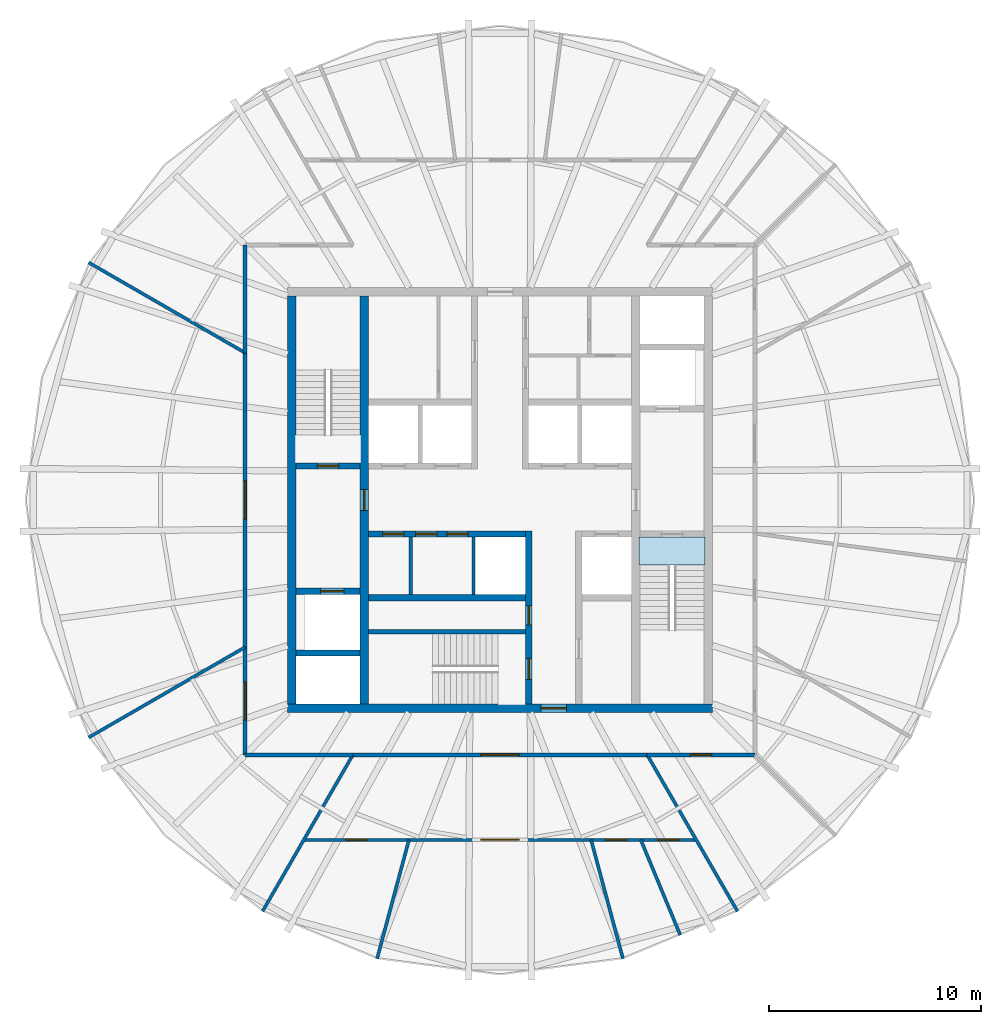
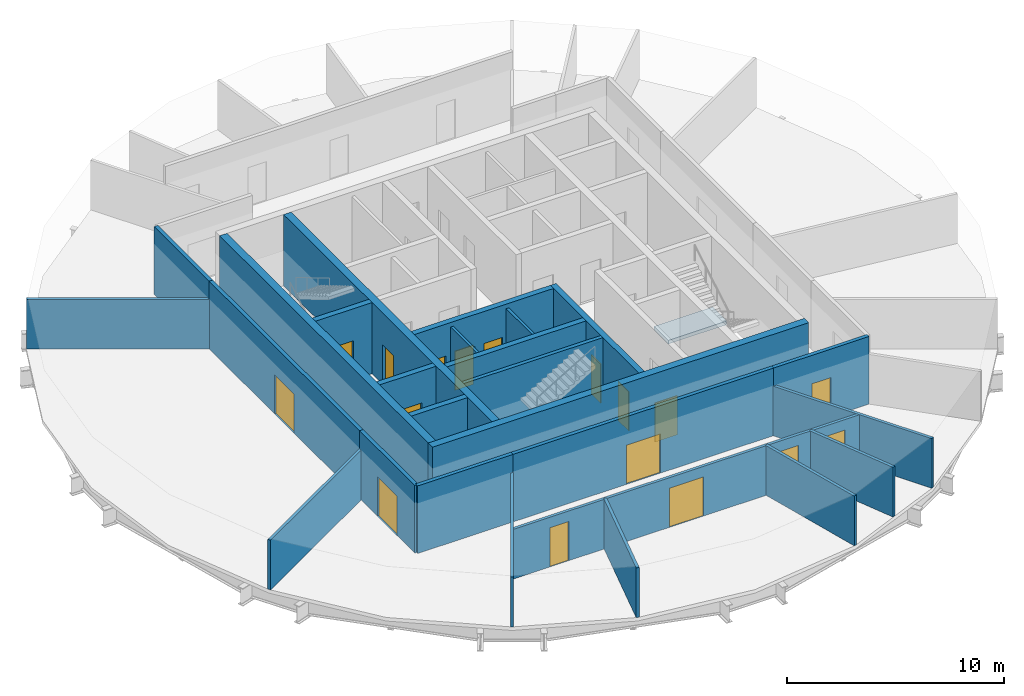
# One storey, part 3 of 6: 26 walls, 17 doors, 1 slab, 17 openings.
"""IFC4 building model written with IfcOpenShell, lengths in metres."""

from ifc_helpers import new_model, si_unit, direction, frame, frame_2d, origin, place, context, subcontext, project, spatial, polyline, rectangle, outline, extrude, material, layer, layer_set, type_object, element, fill, save


model = new_model("IFC4")

# Units and contexts
model_context = context("Model", 3, precision=1e-05, world=origin(), true_north=direction((0.0, 1.0)))
body_context = subcontext(model_context, "Body", "Model", "MODEL_VIEW")
ifc_project = project(units=[si_unit("LENGTHUNIT", "METRE"), si_unit("AREAUNIT", "SQUARE_METRE"), si_unit("VOLUMEUNIT", "CUBIC_METRE"), si_unit("PLANEANGLEUNIT", "RADIAN"), si_unit("MASSUNIT", "GRAM", prefix="KILO")], contexts=[model_context])

# Site, building, storey
site_placement = place(None, origin())
site = spatial("IfcSite", under=ifc_project, at=site_placement, CompositionType="ELEMENT")
building_placement = place(site_placement, origin())
building = spatial("IfcBuilding", under=site, at=building_placement, Name="Golbaran Civic Tower", CompositionType="ELEMENT")
storey_placement = place(building_placement, frame((0.0, 0.0, 252.0)))
storey = spatial("IfcBuildingStorey", under=building, at=storey_placement, Name="L61", CompositionType="ELEMENT", Elevation=252.0)

# Slab
ifc_material_1 = material(Name="Concrete C35/45", Category="concrete")
ifc_layer_1 = layer(ifc_material_1, 0.199951171875, Name="Concrete C35/45")
ifc_layer_set_1 = layer_set([ifc_layer_1], Name="Concrete C35/45")
slab_type = type_object("IfcSlabType", Name="STAIR LANDING 200", PredefinedType="LANDING", material=ifc_layer_set_1)
slab_placement = place(storey_placement, frame((0.0, 0.0, -0.199951171875)))
element("IfcSlab", 1, at=slab_placement, inside=storey, type_object=slab_type, Name="Stair S2 floor landing L61", PredefinedType="LANDING", context=body_context, shape_type="SweptSolid", body=[
    extrude(outline(polyline([(9.64990234375, -1.75), (9.64990234375, -3.054931640625), (6.550048828125, -3.054931640625), (6.550048828125, -1.75), (9.64990234375, -1.75)])), origin(), (0.0, 0.0, 1.0), 0.199951171875),
])

# Walls
ifc_material_2 = material(Name="Concrete block", Category="concrete")
ifc_layer_2 = layer(ifc_material_2, 0.14990234375, Name="Concrete block")
ifc_layer_set_2 = layer_set([ifc_layer_2], Name="Concrete block")
wall_type_1 = type_object("IfcWallType", Name="BLOCKWORK PARTITION 150", PredefinedType="PARTITIONING", material=ifc_layer_set_2)
for number, where, z_axis, x_axis, name in (
    (2, (-4.199951171875, -1.75, 0.0), (0.0, 0.0, 1.0), (0.0, -1.0, 0.0), "Core room partition HP0 L61"),
    (3, (-1.25, -1.75, 0.0), (0.0, 0.0, 1.0), (0.0, -1.0, 0.0), "Lift H3 hoistway west wall L61"),
):
    element("IfcWall", number, at=place(storey_placement, frame(where, z_axis=z_axis, x_axis=x_axis)), inside=storey, type_object=wall_type_1, Name=name, PredefinedType="PARTITIONING", context=body_context, shape_type="SweptSolid", body=[
        extrude(rectangle(XDim=2.699951171875, YDim=0.14990234375, at=frame_2d((1.35009765625, 0.0))), origin(), (0.0, 0.0, 1.0), 3.75),
    ])

# Wall, opening, door
ifc_material_3 = material(Name="Concrete C50/60", Category="concrete")
ifc_layer_3 = layer(ifc_material_3, 0.39990234375, Name="Concrete C50/60")
ifc_layer_set_3 = layer_set([ifc_layer_3], Name="Concrete C50/60")
wall_type_2 = type_object("IfcWallType", Name="CORE WALL CONCRETE 400", PredefinedType="SOLIDWALL", material=ifc_layer_set_3)
wall_1_placement = place(storey_placement, frame((10.0, -9.800048828125, 0.0), z_axis=(0.0, 0.0, 1.0), x_axis=(-1.0, 0.0, 0.0)))
wall_1 = element("IfcWall", 4, at=wall_1_placement, inside=storey, type_object=wall_type_2, Name="Core wall CS L61", PredefinedType="SOLIDWALL", context=body_context, shape_type="SweptSolid", body=[
    extrude(rectangle(XDim=20.0, YDim=0.39990234375, at=frame_2d((10.0, 0.0))), origin(), (0.0, 0.0, 1.0), 4.0),
])
opening_1_placement = place(wall_1_placement, frame((6.875, 0.0, 0.0)))
opening_1 = element("IfcOpeningElement", 5, at=opening_1_placement, cuts=wall_1, Name="Opening L61.CS", PredefinedType="OPENING", context=body_context, shape_type="SweptSolid", body=[
    extrude(rectangle(XDim=1.199951171875, YDim=2.199951171875, at=frame_2d((0.60009765625, 1.10009765625))), frame((0.0, 0.2099609375, 0.0), z_axis=(0.0, -1.0, 0.0), x_axis=(1.0, 0.0, 0.0)), (0.0, 0.0, 1.0), 0.419921875),
])
ifc_material_4 = material(Name="Timber door set in steel frame", Category="steel")
door_type_1 = type_object("IfcDoorType", Name="CORE DOOR 1200x2200", OperationType="DOUBLE_DOOR_SINGLE_SWING", PredefinedType="DOOR", material=ifc_material_4)
door_1_placement = place(opening_1_placement, origin())
door_1 = element("IfcDoor", 6, at=door_1_placement, inside=storey, type_object=door_type_1, Name="Core door south", OperationType="DOUBLE_DOOR_SINGLE_SWING", OverallHeight=2.199951171875, OverallWidth=1.199951171875, PredefinedType="DOOR", context=body_context, shape_type="SweptSolid", body=[
    extrude(rectangle(XDim=1.199951171875, YDim=2.199951171875, at=frame_2d((0.60009765625, 1.10009765625))), frame((0.0, 0.02490234375, 0.0), z_axis=(0.0, -1.0, 0.0), x_axis=(1.0, 0.0, 0.0)), (0.0, 0.0, 1.0), 0.050048828125),
])
fill(opening_1, door_1)

# Wall
wall_2_placement = place(storey_placement, frame((-9.800048828125, 9.60009765625, 0.0), z_axis=(0.0, 0.0, 1.0), x_axis=(0.0, -1.0, 0.0)))
element("IfcWall", 7, at=wall_2_placement, inside=storey, type_object=wall_type_2, Name="Core wall CW L61", PredefinedType="SOLIDWALL", context=body_context, shape_type="SweptSolid", body=[
    extrude(rectangle(XDim=19.2001953125, YDim=0.39990234375, at=frame_2d((9.60009765625, 0.0))), origin(), (0.0, 0.0, 1.0), 4.0),
])

# Wall, opening, door
wall_3_placement = place(storey_placement, frame((-6.39990234375, -9.60009765625, 0.0), z_axis=(0.0, 0.0, 1.0), x_axis=(0.0, 1.0, 0.0)))
wall_3 = element("IfcWall", 8, at=wall_3_placement, inside=storey, type_object=wall_type_2, Name="Core wall IW L61", PredefinedType="SOLIDWALL", context=body_context, shape_type="SweptSolid", body=[
    extrude(rectangle(XDim=19.2001953125, YDim=0.39990234375, at=frame_2d((9.60009765625, 0.0))), origin(), (0.0, 0.0, 1.0), 4.0),
])
opening_2_placement = place(wall_3_placement, frame((9.10009765625, 0.0, 0.0)))
opening_2 = element("IfcOpeningElement", 9, at=opening_2_placement, cuts=wall_3, Name="Opening L61.FL1", PredefinedType="OPENING", context=body_context, shape_type="SweptSolid", body=[
    extrude(rectangle(XDim=1.0, YDim=2.199951171875, at=frame_2d((0.5, 1.10009765625))), frame((0.0, 0.2099609375, 0.0), z_axis=(0.0, -1.0, 0.0), x_axis=(1.0, 0.0, 0.0)), (0.0, 0.0, 1.0), 0.419921875),
])
door_type_2 = type_object("IfcDoorType", Name="STAIR DOOR 1000x2200", OperationType="SINGLE_SWING_LEFT", PredefinedType="DOOR", material=ifc_material_4)
door_2_placement = place(opening_2_placement, origin())
door_2 = element("IfcDoor", 10, at=door_2_placement, inside=storey, type_object=door_type_2, Name="Fire-fighting lobby FL1 door", OperationType="SINGLE_SWING_LEFT", OverallHeight=2.199951171875, OverallWidth=1.0, PredefinedType="DOOR", context=body_context, shape_type="SweptSolid", body=[
    extrude(rectangle(XDim=1.0, YDim=2.199951171875, at=frame_2d((0.5, 1.10009765625))), frame((0.0, 0.02490234375, 0.0), z_axis=(0.0, -1.0, 0.0), x_axis=(1.0, 0.0, 0.0)), (0.0, 0.0, 1.0), 0.050048828125),
])
fill(opening_2, door_2)

# Wall
ifc_material_5 = material(Name="Gypsum board on steel studs, fire-rated", Category="steel")
ifc_layer_4 = layer(ifc_material_5, 0.199951171875, Name="Gypsum board on steel studs, fire-rated")
ifc_layer_set_4 = layer_set([ifc_layer_4], Name="Gypsum board on steel studs, fire-rated")
wall_type_3 = type_object("IfcWallType", Name="CORRIDOR WALL 200", PredefinedType="PARTITIONING", material=ifc_layer_set_4)
wall_4_placement = place(storey_placement, frame((-12.0, 12.0, 0.0), z_axis=(0.0, 0.0, 1.0), x_axis=(0.0, -1.0, 0.0)))
element("IfcWall", 11, at=wall_4_placement, inside=storey, type_object=wall_type_3, Name="Corridor wall L61", PredefinedType="PARTITIONING", context=body_context, shape_type="SweptSolid", body=[
    extrude(rectangle(XDim=5.07177734375, YDim=0.199951171875, at=frame_2d((2.535888671875, 0.0))), origin(), (0.0, 0.0, 1.0), 3.800048828125),
])

# Wall, opening, door
wall_5_placement = place(storey_placement, frame((-12.0, 6.92822265625, 0.0), z_axis=(0.0, 0.0, 1.0), x_axis=(0.0, -1.0, 0.0)))
wall_5 = element("IfcWall", 12, at=wall_5_placement, inside=storey, type_object=wall_type_3, Name="Corridor wall L61", PredefinedType="PARTITIONING", context=body_context, shape_type="SweptSolid", body=[
    extrude(rectangle(XDim=13.8564453125, YDim=0.199951171875, at=frame_2d((6.92822265625, 0.0))), origin(), (0.0, 0.0, 1.0), 3.800048828125),
])
opening_3_placement = place(wall_5_placement, frame((6.0283203125, 0.0, 0.0)))
opening_3 = element("IfcOpeningElement", 13, at=opening_3_placement, cuts=wall_5, Name="Opening L61.16", PredefinedType="OPENING", context=body_context, shape_type="SweptSolid", body=[
    extrude(rectangle(XDim=1.800048828125, YDim=2.199951171875, at=frame_2d((0.89990234375, 1.10009765625))), frame((0.0, 0.10986328125, 0.0), z_axis=(0.0, -1.0, 0.0), x_axis=(1.0, 0.0, 0.0)), (0.0, 0.0, 1.0), 0.219970703125),
])
door_type_3 = type_object("IfcDoorType", Name="OFFICE DOUBLE DOOR 1800x2200", OperationType="DOUBLE_DOOR_SINGLE_SWING", PredefinedType="DOOR", material=ifc_material_4)
door_3_placement = place(opening_3_placement, origin())
door_3 = element("IfcDoor", 14, at=door_3_placement, inside=storey, type_object=door_type_3, Name="Open Office door L61", OperationType="DOUBLE_DOOR_SINGLE_SWING", OverallHeight=2.199951171875, OverallWidth=1.800048828125, PredefinedType="DOOR", context=body_context, shape_type="SweptSolid", body=[
    extrude(rectangle(XDim=1.800048828125, YDim=2.199951171875, at=frame_2d((0.89990234375, 1.10009765625))), frame((0.0, 0.02490234375, 0.0), z_axis=(0.0, -1.0, 0.0), x_axis=(1.0, 0.0, 0.0)), (0.0, 0.0, 1.0), 0.050048828125),
])
fill(opening_3, door_3)

wall_6_placement = place(storey_placement, frame((-12.0, -6.92822265625, 0.0), z_axis=(0.0, 0.0, 1.0), x_axis=(0.0, -1.0, 0.0)))
wall_6 = element("IfcWall", 15, at=wall_6_placement, inside=storey, type_object=wall_type_3, Name="Corridor wall L61", PredefinedType="PARTITIONING", context=body_context, shape_type="SweptSolid", body=[
    extrude(rectangle(XDim=5.07177734375, YDim=0.199951171875, at=frame_2d((2.535888671875, 0.0))), origin(), (0.0, 0.0, 1.0), 3.800048828125),
])
opening_4_placement = place(wall_6_placement, frame((1.635986328125, 0.0, 0.0)))
opening_4 = element("IfcOpeningElement", 16, at=opening_4_placement, cuts=wall_6, Name="Opening L61.17", PredefinedType="OPENING", context=body_context, shape_type="SweptSolid", body=[
    extrude(rectangle(XDim=1.800048828125, YDim=2.199951171875, at=frame_2d((0.89990234375, 1.10009765625))), frame((0.0, 0.10986328125, 0.0), z_axis=(0.0, -1.0, 0.0), x_axis=(1.0, 0.0, 0.0)), (0.0, 0.0, 1.0), 0.219970703125),
])
door_4_placement = place(opening_4_placement, origin())
door_4 = element("IfcDoor", 17, at=door_4_placement, inside=storey, type_object=door_type_3, Name="Open Office door L61", OperationType="DOUBLE_DOOR_SINGLE_SWING", OverallHeight=2.199951171875, OverallWidth=1.800048828125, PredefinedType="DOOR", context=body_context, shape_type="SweptSolid", body=[
    extrude(rectangle(XDim=1.800048828125, YDim=2.199951171875, at=frame_2d((0.89990234375, 1.10009765625))), frame((0.0, 0.02490234375, 0.0), z_axis=(0.0, -1.0, 0.0), x_axis=(1.0, 0.0, 0.0)), (0.0, 0.0, 1.0), 0.050048828125),
])
fill(opening_4, door_4)

# Wall
wall_7_placement = place(storey_placement, frame((-12.0, -12.0, 0.0), z_axis=(0.0, 0.0, 1.0), x_axis=(1.0, 0.0, 0.0)))
element("IfcWall", 18, at=wall_7_placement, inside=storey, type_object=wall_type_3, Name="Corridor wall L61", PredefinedType="PARTITIONING", context=body_context, shape_type="SweptSolid", body=[
    extrude(rectangle(XDim=5.07177734375, YDim=0.199951171875, at=frame_2d((2.535888671875, 0.0))), origin(), (0.0, 0.0, 1.0), 3.800048828125),
])

# Wall, opening, door
wall_8_placement = place(storey_placement, frame((-6.92822265625, -12.0, 0.0), z_axis=(0.0, 0.0, 1.0), x_axis=(1.0, 0.0, 0.0)))
wall_8 = element("IfcWall", 19, at=wall_8_placement, inside=storey, type_object=wall_type_3, Name="Corridor wall L61", PredefinedType="PARTITIONING", context=body_context, shape_type="SweptSolid", body=[
    extrude(rectangle(XDim=13.8564453125, YDim=0.199951171875, at=frame_2d((6.92822265625, 0.0))), origin(), (0.0, 0.0, 1.0), 3.800048828125),
])
opening_5_placement = place(wall_8_placement, frame((6.0283203125, 0.0, 0.0)))
opening_5 = element("IfcOpeningElement", 20, at=opening_5_placement, cuts=wall_8, Name="Opening L61.18", PredefinedType="OPENING", context=body_context, shape_type="SweptSolid", body=[
    extrude(rectangle(XDim=1.800048828125, YDim=2.199951171875, at=frame_2d((0.89990234375, 1.10009765625))), frame((0.0, 0.10986328125, 0.0), z_axis=(0.0, -1.0, 0.0), x_axis=(1.0, 0.0, 0.0)), (0.0, 0.0, 1.0), 0.219970703125),
])
door_5_placement = place(opening_5_placement, origin())
door_5 = element("IfcDoor", 21, at=door_5_placement, inside=storey, type_object=door_type_3, Name="Secretariat door L61", OperationType="DOUBLE_DOOR_SINGLE_SWING", OverallHeight=2.199951171875, OverallWidth=1.800048828125, PredefinedType="DOOR", context=body_context, shape_type="SweptSolid", body=[
    extrude(rectangle(XDim=1.800048828125, YDim=2.199951171875, at=frame_2d((0.89990234375, 1.10009765625))), frame((0.0, 0.02490234375, 0.0), z_axis=(0.0, -1.0, 0.0), x_axis=(1.0, 0.0, 0.0)), (0.0, 0.0, 1.0), 0.050048828125),
])
fill(opening_5, door_5)

wall_9_placement = place(storey_placement, frame((6.92822265625, -12.0, 0.0), z_axis=(0.0, 0.0, 1.0), x_axis=(1.0, 0.0, 0.0)))
wall_9 = element("IfcWall", 22, at=wall_9_placement, inside=storey, type_object=wall_type_3, Name="Corridor wall L61", PredefinedType="PARTITIONING", context=body_context, shape_type="SweptSolid", body=[
    extrude(rectangle(XDim=5.07177734375, YDim=0.199951171875, at=frame_2d((2.535888671875, 0.0))), origin(), (0.0, 0.0, 1.0), 3.800048828125),
])
opening_6_placement = place(wall_9_placement, frame((2.035888671875, 0.0, 0.0)))
opening_6 = element("IfcOpeningElement", 23, at=opening_6_placement, cuts=wall_9, Name="Opening L61.19", PredefinedType="OPENING", context=body_context, shape_type="SweptSolid", body=[
    extrude(rectangle(XDim=1.0, YDim=2.199951171875, at=frame_2d((0.5, 1.10009765625))), frame((0.0, 0.10986328125, 0.0), z_axis=(0.0, -1.0, 0.0), x_axis=(1.0, 0.0, 0.0)), (0.0, 0.0, 1.0), 0.219970703125),
])
door_type_4 = type_object("IfcDoorType", Name="OFFICE DOOR 1000x2200", OperationType="SINGLE_SWING_LEFT", PredefinedType="DOOR", material=ifc_material_4)
door_6_placement = place(opening_6_placement, origin())
door_6 = element("IfcDoor", 24, at=door_6_placement, inside=storey, type_object=door_type_4, Name="Meeting Room door L61", OperationType="SINGLE_SWING_LEFT", OverallHeight=2.199951171875, OverallWidth=1.0, PredefinedType="DOOR", context=body_context, shape_type="SweptSolid", body=[
    extrude(rectangle(XDim=1.0, YDim=2.199951171875, at=frame_2d((0.5, 1.10009765625))), frame((0.0, 0.02490234375, 0.0), z_axis=(0.0, -1.0, 0.0), x_axis=(1.0, 0.0, 0.0)), (0.0, 0.0, 1.0), 0.050048828125),
])
fill(opening_6, door_6)

# Walls
ifc_material_6 = material(Name="Gypsum board on steel studs", Category="steel")
ifc_layer_5 = layer(ifc_material_6, 0.14990234375, Name="Gypsum board on steel studs")
ifc_layer_set_5 = layer_set([ifc_layer_5], Name="Gypsum board on steel studs")
wall_type_4 = type_object("IfcWallType", Name="OFFICE PARTITION 150", PredefinedType="PARTITIONING", material=ifc_layer_set_5)
for number, where, z_axis, x_axis, name in (
    (25, (-12.0, 6.92822265625, 0.0), (0.0, 0.0, 1.0), (-0.866026401553, 0.49999827181, 0.0), "Partition 150 L61"),
    (26, (-12.0, -6.92822265625, 0.0), (0.0, 0.0, 1.0), (-0.866026401553, -0.49999827181, 0.0), "Partition 210 L61"),
    (27, (-6.92822265625, -12.0, 0.0), (0.0, 0.0, 1.0), (-0.49999827181, -0.866026401553, 0.0), "Partition 240 L61"),
    (28, (6.92822265625, -12.0, 0.0), (0.0, 0.0, 1.0), (0.49999827181, -0.866026401553, 0.0), "Partition 300 L61"),
):
    element("IfcWall", number, at=place(storey_placement, frame(where, z_axis=z_axis, x_axis=x_axis)), inside=storey, type_object=wall_type_4, Name=name, PredefinedType="PARTITIONING", context=body_context, shape_type="SweptSolid", body=[
        extrude(rectangle(XDim=8.5048828125, YDim=0.14990234375, at=frame_2d((4.25244140625, 0.0))), origin(), (0.0, 0.0, 1.0), 2.7900390625),
    ])

# Wall, openings, doors
wall_10_placement = place(storey_placement, frame((-9.237548828125, -16.0, 0.0), z_axis=(0.0, 0.0, 1.0), x_axis=(1.0, 0.0, 0.0)))
wall_10 = element("IfcWall", 29, at=wall_10_placement, inside=storey, type_object=wall_type_4, Name="Suite partition L61", PredefinedType="PARTITIONING", context=body_context, shape_type="SweptSolid", body=[
    extrude(rectangle(XDim=18.47509765625, YDim=0.14990234375, at=frame_2d((9.237548828125, 0.0))), origin(), (0.0, 0.0, 1.0), 2.7900390625),
])
opening_7_placement = place(wall_10_placement, frame((1.97509765625, 0.0, 0.0)))
opening_7 = element("IfcOpeningElement", 30, at=opening_7_placement, cuts=wall_10, Name="Opening L61.05", PredefinedType="OPENING", context=body_context, shape_type="SweptSolid", body=[
    extrude(rectangle(XDim=1.0, YDim=2.199951171875, at=frame_2d((0.5, 1.10009765625))), frame((0.0, 0.0849609375, 0.0), z_axis=(0.0, -1.0, 0.0), x_axis=(1.0, 0.0, 0.0)), (0.0, 0.0, 1.0), 0.169921875),
])
opening_8_placement = place(wall_10_placement, frame((8.337646484375, 0.0, 0.0)))
opening_8 = element("IfcOpeningElement", 31, at=opening_8_placement, cuts=wall_10, Name="Opening L61.06", PredefinedType="OPENING", context=body_context, shape_type="SweptSolid", body=[
    extrude(rectangle(XDim=1.800048828125, YDim=2.199951171875, at=frame_2d((0.89990234375, 1.10009765625))), frame((0.0, 0.0849609375, 0.0), z_axis=(0.0, -1.0, 0.0), x_axis=(1.0, 0.0, 0.0)), (0.0, 0.0, 1.0), 0.169921875),
])
opening_9_placement = place(wall_10_placement, frame((14.19482421875, 0.0, 0.0)))
opening_9 = element("IfcOpeningElement", 32, at=opening_9_placement, cuts=wall_10, Name="Opening L61.07", PredefinedType="OPENING", context=body_context, shape_type="SweptSolid", body=[
    extrude(rectangle(XDim=1.0, YDim=2.199951171875, at=frame_2d((0.5, 1.10009765625))), frame((0.0, 0.0849609375, 0.0), z_axis=(0.0, -1.0, 0.0), x_axis=(1.0, 0.0, 0.0)), (0.0, 0.0, 1.0), 0.169921875),
])
opening_10_placement = place(wall_10_placement, frame((16.670166015625, 0.0, 0.0)))
opening_10 = element("IfcOpeningElement", 33, at=opening_10_placement, cuts=wall_10, Name="Opening L61.08", PredefinedType="OPENING", context=body_context, shape_type="SweptSolid", body=[
    extrude(rectangle(XDim=1.0, YDim=2.199951171875, at=frame_2d((0.5, 1.10009765625))), frame((0.0, 0.0849609375, 0.0), z_axis=(0.0, -1.0, 0.0), x_axis=(1.0, 0.0, 0.0)), (0.0, 0.0, 1.0), 0.169921875),
])
door_7_placement = place(opening_7_placement, origin())
door_7 = element("IfcDoor", 34, at=door_7_placement, inside=storey, type_object=door_type_4, Name="Office door L61", OperationType="SINGLE_SWING_LEFT", OverallHeight=2.199951171875, OverallWidth=1.0, PredefinedType="DOOR", context=body_context, shape_type="SweptSolid", body=[
    extrude(rectangle(XDim=1.0, YDim=2.199951171875, at=frame_2d((0.5, 1.10009765625))), frame((0.0, 0.02490234375, 0.0), z_axis=(0.0, -1.0, 0.0), x_axis=(1.0, 0.0, 0.0)), (0.0, 0.0, 1.0), 0.050048828125),
])
fill(opening_7, door_7)
door_8_placement = place(opening_9_placement, origin())
door_8 = element("IfcDoor", 35, at=door_8_placement, inside=storey, type_object=door_type_4, Name="Office door L61", OperationType="SINGLE_SWING_RIGHT", OverallHeight=2.199951171875, OverallWidth=1.0, PredefinedType="DOOR", context=body_context, shape_type="SweptSolid", body=[
    extrude(rectangle(XDim=1.0, YDim=2.199951171875, at=frame_2d((0.5, 1.10009765625))), frame((0.0, 0.02490234375, 0.0), z_axis=(0.0, -1.0, 0.0), x_axis=(1.0, 0.0, 0.0)), (0.0, 0.0, 1.0), 0.050048828125),
])
fill(opening_9, door_8)
door_9_placement = place(opening_10_placement, origin())
door_9 = element("IfcDoor", 36, at=door_9_placement, inside=storey, type_object=door_type_4, Name="Director's Office door L61", OperationType="SINGLE_SWING_RIGHT", OverallHeight=2.199951171875, OverallWidth=1.0, PredefinedType="DOOR", context=body_context, shape_type="SweptSolid", body=[
    extrude(rectangle(XDim=1.0, YDim=2.199951171875, at=frame_2d((0.5, 1.10009765625))), frame((0.0, 0.02490234375, 0.0), z_axis=(0.0, -1.0, 0.0), x_axis=(1.0, 0.0, 0.0)), (0.0, 0.0, 1.0), 0.050048828125),
])
fill(opening_10, door_9)
door_10_placement = place(opening_8_placement, origin())
door_10 = element("IfcDoor", 37, at=door_10_placement, inside=storey, type_object=door_type_3, Name="Assistants' Office door L61", OperationType="DOUBLE_DOOR_SINGLE_SWING", OverallHeight=2.199951171875, OverallWidth=1.800048828125, PredefinedType="DOOR", context=body_context, shape_type="SweptSolid", body=[
    extrude(rectangle(XDim=1.800048828125, YDim=2.199951171875, at=frame_2d((0.89990234375, 1.10009765625))), frame((0.0, 0.02490234375, 0.0), z_axis=(0.0, -1.0, 0.0), x_axis=(1.0, 0.0, 0.0)), (0.0, 0.0, 1.0), 0.050048828125),
])
fill(opening_8, door_10)

# Walls
for number, where, z_axis, x_axis, name in (
    (38, (-4.287109375, -16.0, 0.0), (0.0, 0.0, 1.0), (-0.258842042881, -0.96591966376, 0.0), "Partition 255 L61"),
    (39, (4.287109375, -16.0, 0.0), (0.0, 0.0, 1.0), (0.258842042881, -0.96591966376, 0.0), "Partition 285 L61"),
):
    element("IfcWall", number, at=place(storey_placement, frame(where, z_axis=z_axis, x_axis=x_axis)), inside=storey, type_object=wall_type_4, Name=name, PredefinedType="PARTITIONING", context=body_context, shape_type="SweptSolid", body=[
        extrude(rectangle(XDim=5.796875, YDim=0.14990234375, at=frame_2d((2.8984375, 0.0))), origin(), (0.0, 0.0, 1.0), 2.7900390625),
    ])
wall_11_placement = place(storey_placement, frame((6.62744140625, -16.0, 0.0), z_axis=(0.0, 0.0, 1.0), x_axis=(0.38268510723, -0.923878838758, 0.0)))
element("IfcWall", 40, at=wall_11_placement, inside=storey, type_object=wall_type_4, Name="Partition 292.5 L61", PredefinedType="PARTITIONING", context=body_context, shape_type="SweptSolid", body=[
    extrude(rectangle(XDim=4.851806640625, YDim=0.14990234375, at=frame_2d((2.42578125, 0.0))), origin(), (0.0, 0.0, 1.0), 2.7900390625),
])
ifc_layer_6 = layer(ifc_material_3, 0.199951171875, Name="Concrete C50/60")
ifc_layer_set_6 = layer_set([ifc_layer_6], Name="Concrete C50/60")
wall_type_5 = type_object("IfcWallType", Name="SHAFT WALL CONCRETE 200", PredefinedType="SOLIDWALL", material=ifc_layer_set_6)
wall_12_placement = place(storey_placement, frame((-6.199951171875, -6.199951171875, 0.0), z_axis=(0.0, 0.0, 1.0), x_axis=(1.0, 0.0, 0.0)))
element("IfcWall", 41, at=wall_12_placement, inside=storey, type_object=wall_type_5, Name="Core wall S3N L61", PredefinedType="SOLIDWALL", context=body_context, shape_type="SweptSolid", body=[
    extrude(rectangle(XDim=7.39990234375, YDim=0.199951171875, at=frame_2d((3.699951171875, 0.0))), origin(), (0.0, 0.0, 1.0), 4.0),
])

# Wall, openings, doors
ifc_layer_7 = layer(ifc_material_3, 0.300048828125, Name="Concrete C50/60")
ifc_layer_set_7 = layer_set([ifc_layer_7], Name="Concrete C50/60")
wall_type_6 = type_object("IfcWallType", Name="SHAFT WALL CONCRETE 300", PredefinedType="SOLIDWALL", material=ifc_layer_set_7)
wall_13_placement = place(storey_placement, frame((-6.199951171875, -1.60009765625, 0.0), z_axis=(0.0, 0.0, 1.0), x_axis=(1.0, 0.0, 0.0)))
wall_13 = element("IfcWall", 42, at=wall_13_placement, inside=storey, type_object=wall_type_6, Name="Core wall FSW L61", PredefinedType="SOLIDWALL", context=body_context, shape_type="SweptSolid", body=[
    extrude(rectangle(XDim=7.39990234375, YDim=0.300048828125, at=frame_2d((3.699951171875, 0.0))), origin(), (0.0, 0.0, 1.0), 4.0),
])
opening_11_placement = place(wall_13_placement, frame((0.675048828125, 0.0, 0.0)))
opening_11 = element("IfcOpeningElement", 43, at=opening_11_placement, cuts=wall_13, Name="Opening L61.H1R", PredefinedType="OPENING", context=body_context, shape_type="SweptSolid", body=[
    extrude(rectangle(XDim=1.0, YDim=2.199951171875, at=frame_2d((0.5, 1.10009765625))), frame((0.0, 0.159912109375, 0.0), z_axis=(0.0, -1.0, 0.0), x_axis=(1.0, 0.0, 0.0)), (0.0, 0.0, 1.0), 0.320068359375),
])
opening_12_placement = place(wall_13_placement, frame((2.22509765625, 0.0, 0.0)))
opening_12 = element("IfcOpeningElement", 44, at=opening_12_placement, cuts=wall_13, Name="Opening L61.H2R", PredefinedType="OPENING", context=body_context, shape_type="SweptSolid", body=[
    extrude(rectangle(XDim=1.0, YDim=2.199951171875, at=frame_2d((0.5, 1.10009765625))), frame((0.0, 0.159912109375, 0.0), z_axis=(0.0, -1.0, 0.0), x_axis=(1.0, 0.0, 0.0)), (0.0, 0.0, 1.0), 0.320068359375),
])
opening_13_placement = place(wall_13_placement, frame((3.695068359375, 0.0, 0.0)))
opening_13 = element("IfcOpeningElement", 45, at=opening_13_placement, cuts=wall_13, Name="Opening L61.H3R", PredefinedType="OPENING", context=body_context, shape_type="SweptSolid", body=[
    extrude(rectangle(XDim=1.0, YDim=2.199951171875, at=frame_2d((0.5, 1.10009765625))), frame((0.0, 0.159912109375, 0.0), z_axis=(0.0, -1.0, 0.0), x_axis=(1.0, 0.0, 0.0)), (0.0, 0.0, 1.0), 0.320068359375),
])
door_type_5 = type_object("IfcDoorType", Name="CORE ROOM DOOR 1000x2200", OperationType="SINGLE_SWING_LEFT", PredefinedType="DOOR", material=ifc_material_4)
door_11_placement = place(opening_11_placement, origin())
door_11 = element("IfcDoor", 46, at=door_11_placement, inside=storey, type_object=door_type_5, Name="IT Room door", OperationType="SINGLE_SWING_LEFT", OverallHeight=2.199951171875, OverallWidth=1.0, PredefinedType="DOOR", context=body_context, shape_type="SweptSolid", body=[
    extrude(rectangle(XDim=1.0, YDim=2.199951171875, at=frame_2d((0.5, 1.10009765625))), frame((0.0, 0.02490234375, 0.0), z_axis=(0.0, -1.0, 0.0), x_axis=(1.0, 0.0, 0.0)), (0.0, 0.0, 1.0), 0.050048828125),
])
fill(opening_11, door_11)
door_12_placement = place(opening_12_placement, origin())
door_12 = element("IfcDoor", 47, at=door_12_placement, inside=storey, type_object=door_type_5, Name="Staff Pantry and Vending Room door", OperationType="SINGLE_SWING_LEFT", OverallHeight=2.199951171875, OverallWidth=1.0, PredefinedType="DOOR", context=body_context, shape_type="SweptSolid", body=[
    extrude(rectangle(XDim=1.0, YDim=2.199951171875, at=frame_2d((0.5, 1.10009765625))), frame((0.0, 0.02490234375, 0.0), z_axis=(0.0, -1.0, 0.0), x_axis=(1.0, 0.0, 0.0)), (0.0, 0.0, 1.0), 0.050048828125),
])
fill(opening_12, door_12)
door_13_placement = place(opening_13_placement, origin())
door_13 = element("IfcDoor", 48, at=door_13_placement, inside=storey, type_object=door_type_5, Name="Staff Pantry and Vending Room door", OperationType="SINGLE_SWING_RIGHT", OverallHeight=2.199951171875, OverallWidth=1.0, PredefinedType="DOOR", context=body_context, shape_type="SweptSolid", body=[
    extrude(rectangle(XDim=1.0, YDim=2.199951171875, at=frame_2d((0.5, 1.10009765625))), frame((0.0, 0.02490234375, 0.0), z_axis=(0.0, -1.0, 0.0), x_axis=(1.0, 0.0, 0.0)), (0.0, 0.0, 1.0), 0.050048828125),
])
fill(opening_13, door_13)

# Wall
wall_14_placement = place(storey_placement, frame((-6.199951171875, -4.60009765625, 0.0), z_axis=(0.0, 0.0, 1.0), x_axis=(1.0, 0.0, 0.0)))
element("IfcWall", 49, at=wall_14_placement, inside=storey, type_object=wall_type_6, Name="Core wall BSW L61", PredefinedType="SOLIDWALL", context=body_context, shape_type="SweptSolid", body=[
    extrude(rectangle(XDim=7.39990234375, YDim=0.300048828125, at=frame_2d((3.699951171875, 0.0))), origin(), (0.0, 0.0, 1.0), 4.0),
])

# Wall, openings, doors
wall_15_placement = place(storey_placement, frame((1.35009765625, -1.449951171875, 0.0), z_axis=(0.0, 0.0, 1.0), x_axis=(0.0, -1.0, 0.0)))
wall_15 = element("IfcWall", 50, at=wall_15_placement, inside=storey, type_object=wall_type_6, Name="Core wall PSW L61", PredefinedType="SOLIDWALL", context=body_context, shape_type="SweptSolid", body=[
    extrude(rectangle(XDim=8.150146484375, YDim=0.300048828125, at=frame_2d((4.0751953125, 0.0))), origin(), (0.0, 0.0, 1.0), 4.0),
])
opening_14_placement = place(wall_15_placement, frame((6.0, 0.0, 0.0)))
opening_14 = element("IfcOpeningElement", 51, at=opening_14_placement, cuts=wall_15, Name="Opening L61.S3", PredefinedType="OPENING", context=body_context, shape_type="SweptSolid", body=[
    extrude(rectangle(XDim=1.0, YDim=2.199951171875, at=frame_2d((0.5, 1.10009765625))), frame((0.0, 0.159912109375, 0.0), z_axis=(0.0, -1.0, 0.0), x_axis=(1.0, 0.0, 0.0)), (0.0, 0.0, 1.0), 0.320068359375),
])
opening_15_placement = place(wall_15_placement, frame((3.52490234375, 0.0, 0.0)))
opening_15 = element("IfcOpeningElement", 52, at=opening_15_placement, cuts=wall_15, Name="Opening L61.RE", PredefinedType="OPENING", context=body_context, shape_type="SweptSolid", body=[
    extrude(rectangle(XDim=0.89990234375, YDim=2.199951171875, at=frame_2d((0.449951171875, 1.10009765625))), frame((0.0, 0.159912109375, 0.0), z_axis=(0.0, -1.0, 0.0), x_axis=(1.0, 0.0, 0.0)), (0.0, 0.0, 1.0), 0.320068359375),
])
door_type_6 = type_object("IfcDoorType", Name="RISER DOOR 900x2200", OperationType="SINGLE_SWING_LEFT", PredefinedType="DOOR", material=ifc_material_4)
door_14_placement = place(opening_15_placement, origin())
door_14 = element("IfcDoor", 53, at=door_14_placement, inside=storey, type_object=door_type_6, Name="Electrical riser door", OperationType="SINGLE_SWING_LEFT", OverallHeight=2.199951171875, OverallWidth=0.89990234375, PredefinedType="DOOR", context=body_context, shape_type="SweptSolid", body=[
    extrude(rectangle(XDim=0.89990234375, YDim=2.199951171875, at=frame_2d((0.449951171875, 1.10009765625))), frame((0.0, 0.02490234375, 0.0), z_axis=(0.0, -1.0, 0.0), x_axis=(1.0, 0.0, 0.0)), (0.0, 0.0, 1.0), 0.050048828125),
])
fill(opening_15, door_14)
door_15_placement = place(opening_14_placement, origin())
door_15 = element("IfcDoor", 54, at=door_15_placement, inside=storey, type_object=door_type_2, Name="Stair S3 door", OperationType="SINGLE_SWING_RIGHT", OverallHeight=2.199951171875, OverallWidth=1.0, PredefinedType="DOOR", context=body_context, shape_type="SweptSolid", body=[
    extrude(rectangle(XDim=1.0, YDim=2.199951171875, at=frame_2d((0.5, 1.10009765625))), frame((0.0, 0.02490234375, 0.0), z_axis=(0.0, -1.0, 0.0), x_axis=(1.0, 0.0, 0.0)), (0.0, 0.0, 1.0), 0.050048828125),
])
fill(opening_14, door_15)

# Wall, opening, door
wall_16_placement = place(storey_placement, frame((-9.60009765625, 1.60009765625, 0.0), z_axis=(0.0, 0.0, 1.0), x_axis=(1.0, 0.0, 0.0)))
wall_16 = element("IfcWall", 55, at=wall_16_placement, inside=storey, type_object=wall_type_6, Name="Core wall XW1 L61", PredefinedType="SOLIDWALL", context=body_context, shape_type="SweptSolid", body=[
    extrude(rectangle(XDim=3.0, YDim=0.300048828125, at=frame_2d((1.5, 0.0))), origin(), (0.0, 0.0, 1.0), 4.0),
])
opening_16_placement = place(wall_16_placement, frame((1.0, 0.0, 0.0)))
opening_16 = element("IfcOpeningElement", 56, at=opening_16_placement, cuts=wall_16, Name="Opening L61.S1", PredefinedType="OPENING", context=body_context, shape_type="SweptSolid", body=[
    extrude(rectangle(XDim=1.0, YDim=2.199951171875, at=frame_2d((0.5, 1.10009765625))), frame((0.0, 0.159912109375, 0.0), z_axis=(0.0, -1.0, 0.0), x_axis=(1.0, 0.0, 0.0)), (0.0, 0.0, 1.0), 0.320068359375),
])
door_16_placement = place(opening_16_placement, origin())
door_16 = element("IfcDoor", 57, at=door_16_placement, inside=storey, type_object=door_type_2, Name="Stair S1 door", OperationType="SINGLE_SWING_LEFT", OverallHeight=2.199951171875, OverallWidth=1.0, PredefinedType="DOOR", context=body_context, shape_type="SweptSolid", body=[
    extrude(rectangle(XDim=1.0, YDim=2.199951171875, at=frame_2d((0.5, 1.10009765625))), frame((0.0, 0.02490234375, 0.0), z_axis=(0.0, -1.0, 0.0), x_axis=(1.0, 0.0, 0.0)), (0.0, 0.0, 1.0), 0.050048828125),
])
fill(opening_16, door_16)

wall_17_placement = place(storey_placement, frame((-9.60009765625, -4.300048828125, 0.0), z_axis=(0.0, 0.0, 1.0), x_axis=(1.0, 0.0, 0.0)))
wall_17 = element("IfcWall", 58, at=wall_17_placement, inside=storey, type_object=wall_type_6, Name="Core wall XW2 L61", PredefinedType="SOLIDWALL", context=body_context, shape_type="SweptSolid", body=[
    extrude(rectangle(XDim=3.0, YDim=0.300048828125, at=frame_2d((1.5, 0.0))), origin(), (0.0, 0.0, 1.0), 4.0),
])
opening_17_placement = place(wall_17_placement, frame((1.14990234375, 0.0, 0.0)))
opening_17 = element("IfcOpeningElement", 59, at=opening_17_placement, cuts=wall_17, Name="Opening L61.LD-F1", PredefinedType="OPENING", context=body_context, shape_type="SweptSolid", body=[
    extrude(rectangle(XDim=1.10009765625, YDim=2.199951171875, at=frame_2d((0.550048828125, 1.10009765625))), frame((0.0, 0.159912109375, 0.0), z_axis=(0.0, -1.0, 0.0), x_axis=(1.0, 0.0, 0.0)), (0.0, 0.0, 1.0), 0.320068359375),
])
ifc_material_7 = material(Name="Stainless steel", Category="steel")
door_type_7 = type_object("IfcDoorType", Name="LIFT LANDING DOOR 1100x2200", OperationType="SLIDING_TO_LEFT", PredefinedType="DOOR", material=ifc_material_7)
door_17_placement = place(opening_17_placement, origin())
door_17 = element("IfcDoor", 60, at=door_17_placement, inside=storey, type_object=door_type_7, Name="Lift landing door F1", OperationType="SLIDING_TO_LEFT", OverallHeight=2.199951171875, OverallWidth=1.10009765625, PredefinedType="DOOR", context=body_context, shape_type="SweptSolid", body=[
    extrude(rectangle(XDim=1.10009765625, YDim=2.199951171875, at=frame_2d((0.550048828125, 1.10009765625))), frame((0.0, 0.02490234375, 0.0), z_axis=(0.0, -1.0, 0.0), x_axis=(1.0, 0.0, 0.0)), (0.0, 0.0, 1.0), 0.050048828125),
])
fill(opening_17, door_17)

# Wall
wall_18_placement = place(storey_placement, frame((-9.60009765625, -7.199951171875, 0.0), z_axis=(0.0, 0.0, 1.0), x_axis=(1.0, 0.0, 0.0)))
element("IfcWall", 61, at=wall_18_placement, inside=storey, type_object=wall_type_6, Name="Core wall XW3 L61", PredefinedType="SOLIDWALL", context=body_context, shape_type="SweptSolid", body=[
    extrude(rectangle(XDim=3.0, YDim=0.300048828125, at=frame_2d((1.5, 0.0))), origin(), (0.0, 0.0, 1.0), 4.0),
])

save(model, "model.ifc")
